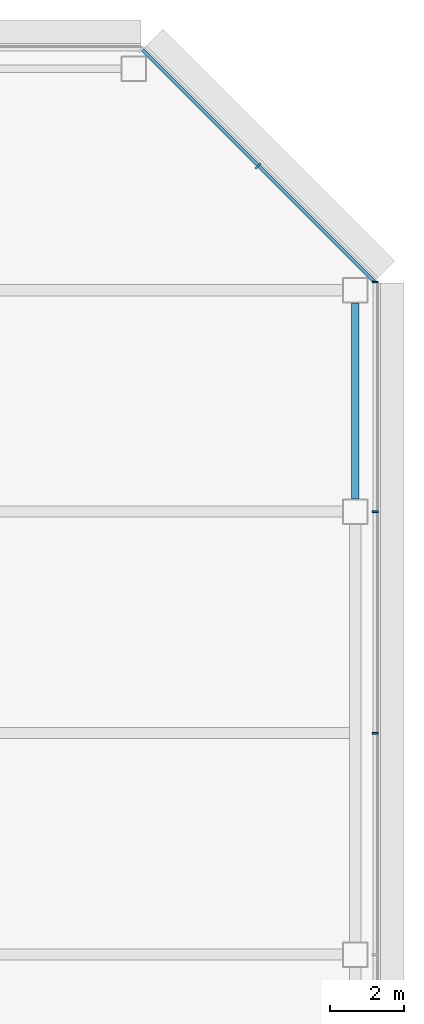
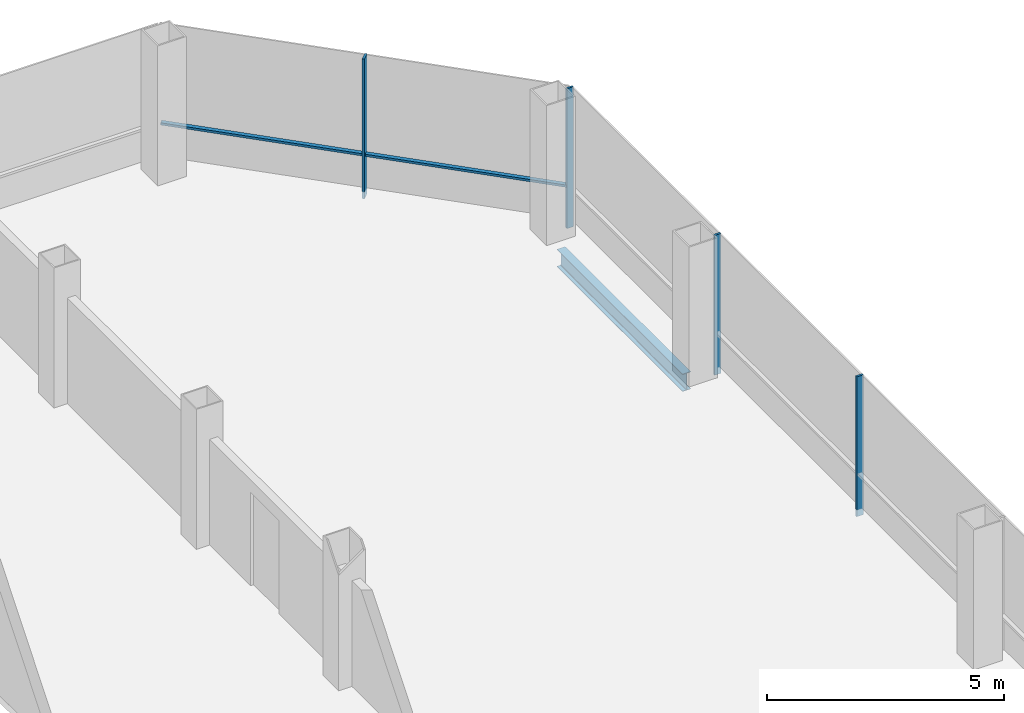
# One storey, part 17 of 24: 5 members, 1 beam, 2 elements without a shape of their own.
"""IFC4 building model written with IfcOpenShell, lengths in metres."""

from ifc_helpers import new_model, si_unit, direction, frame, origin, origin_2d, place, context, subcontext, project, spatial, rectangle, i_section, extrude, material, material_profile, profile_set, type_object, element, aggregate, save


model = new_model("IFC4")

# Units and contexts
model_context = context("Model", 3, precision=1e-05, world=origin(), true_north=direction((0.0, 1.0)))
body_context = subcontext(model_context, "Body", "Model", "MODEL_VIEW")
ifc_project = project(units=[si_unit("LENGTHUNIT", "METRE"), si_unit("AREAUNIT", "SQUARE_METRE"), si_unit("VOLUMEUNIT", "CUBIC_METRE"), si_unit("PLANEANGLEUNIT", "RADIAN"), si_unit("MASSUNIT", "GRAM", prefix="KILO")], contexts=[model_context])

# Site, building, storey
site_placement = place(None, origin())
site = spatial("IfcSite", under=ifc_project, at=site_placement, CompositionType="ELEMENT")
building_placement = place(site_placement, origin())
building = spatial("IfcBuilding", under=site, at=building_placement, Name="Sorahane Residences", CompositionType="ELEMENT")
storey_placement = place(building_placement, frame((0.0, 0.0, 174.39990234375)))
storey = spatial("IfcBuildingStorey", under=building, at=storey_placement, Name="L40", CompositionType="ELEMENT", Elevation=174.39990234375)

# Curtain wall, members
ifc_material_1 = material(Name="Dark low-e glass and black anodised aluminium", Category="aluminium")
curtain_wall_type_1 = type_object("IfcCurtainWallType", Name="Curtain wall CW-1 Typical unitised wall", PredefinedType="NOTDEFINED", material=ifc_material_1)
curtain_wall_1_placement = place(storey_placement, origin())
curtain_wall_1 = element("IfcCurtainWall", 1, at=curtain_wall_1_placement, inside=storey, type_object=curtain_wall_type_1, Name="CW-1 curtain wall L40 E1", PredefinedType="NOTDEFINED")
ifc_material_2 = material(Name="Black anodised aluminium", Category="aluminium")
ifc_material_profile_1 = material_profile(ifc_material_2, rectangle(XDim=0.159912109375, YDim=0.050048828125, at=origin_2d()), Name="Curtain wall mullion CW-1 black anodised aluminium 50x160")
ifc_profile_set_1 = profile_set([ifc_material_profile_1], Name="Black anodised aluminium")
member_type_1 = type_object("IfcMemberType", Name="Curtain wall mullion CW-1 black anodised aluminium 50x160", PredefinedType="MULLION", material=ifc_profile_set_1)
member_1_placement = place(storey_placement, frame((60.5400390625, 30.0, -0.179931640625), z_axis=(0.0, 0.0, 1.0), x_axis=(1.0, 0.0, 0.0)))
member_1 = element("IfcMember", 2, at=member_1_placement, type_object=member_type_1, Name="CW-1 mullion L40 E1.5", PredefinedType="MULLION", context=body_context, shape_type="SweptSolid", body=[
    extrude(rectangle(XDim=0.159912109375, YDim=0.050048828125, at=origin_2d()), origin(), (0.0, 0.0, 1.0), 3.60009765625),
])
member_2_placement = place(storey_placement, frame((60.5400390625, 36.0, -0.179931640625), z_axis=(0.0, 0.0, 1.0), x_axis=(1.0, 0.0, 0.0)))
member_2 = element("IfcMember", 3, at=member_2_placement, type_object=member_type_1, Name="CW-1 mullion L40 E1.6", PredefinedType="MULLION", context=body_context, shape_type="SweptSolid", body=[
    extrude(rectangle(XDim=0.159912109375, YDim=0.050048828125, at=origin_2d()), origin(), (0.0, 0.0, 1.0), 3.60009765625),
])
member_3_placement = place(storey_placement, frame((60.5400390625, 42.2236328125, -0.179931640625), z_axis=(0.0, 0.0, 1.0), x_axis=(1.0, 0.0, 0.0)))
member_3 = element("IfcMember", 4, at=member_3_placement, type_object=member_type_1, Name="CW-1 mullion L40 E1.7", PredefinedType="MULLION", context=body_context, shape_type="SweptSolid", body=[
    extrude(rectangle(XDim=0.159912109375, YDim=0.050048828125, at=origin_2d()), origin(), (0.0, 0.0, 1.0), 3.60009765625),
])
aggregate(curtain_wall_1, [member_1, member_2, member_3])

ifc_material_3 = material(Name="Dark low-e glass and black anodised aluminium", Category="aluminium")
curtain_wall_type_2 = type_object("IfcCurtainWallType", Name="Curtain wall CW-2 Chamfer unitised wall", PredefinedType="NOTDEFINED", material=ifc_material_3)
curtain_wall_2_placement = place(storey_placement, origin())
curtain_wall_2 = element("IfcCurtainWall", 5, at=curtain_wall_2_placement, inside=storey, type_object=curtain_wall_type_2, Name="CW-2 curtain wall L40 NE1", PredefinedType="NOTDEFINED")
ifc_material_4 = material(Name="Black anodised aluminium", Category="aluminium")
ifc_material_profile_2 = material_profile(ifc_material_4, rectangle(XDim=0.199951171875, YDim=0.050048828125, at=origin_2d()), Name="Curtain wall mullion CW-2 black anodised aluminium 50x200")
ifc_profile_set_2 = profile_set([ifc_material_profile_2], Name="Black anodised aluminium")
member_type_2 = type_object("IfcMemberType", Name="Curtain wall mullion CW-2 black anodised aluminium 50x200", PredefinedType="MULLION", material=ifc_profile_set_2)
member_4_placement = place(storey_placement, frame((57.36767578125, 45.36767578125, -0.179931640625), z_axis=(0.0, 0.0, 1.0), x_axis=(0.707106781187, 0.707106781187, 0.0)))
member_4 = element("IfcMember", 6, at=member_4_placement, type_object=member_type_2, Name="CW-2 mullion L40 NE1.2", PredefinedType="MULLION", context=body_context, shape_type="SweptSolid", body=[
    extrude(rectangle(XDim=0.199951171875, YDim=0.050048828125, at=origin_2d()), origin(), (0.0, 0.0, 1.0), 3.60009765625),
])
ifc_material_5 = material(Name="Black anodised aluminium", Category="aluminium")
ifc_material_profile_3 = material_profile(ifc_material_5, rectangle(XDim=0.10009765625, YDim=0.06005859375, at=origin_2d()), Name="Curtain wall transom CW-2 black anodised aluminium 60x100")
ifc_profile_set_3 = profile_set([ifc_material_profile_3], Name="Black anodised aluminium")
member_type_3 = type_object("IfcMemberType", Name="Curtain wall transom CW-2 black anodised aluminium 60x100", PredefinedType="USERDEFINED", material=ifc_profile_set_3)
member_5_placement = place(storey_placement, frame((60.51513671875, 42.234375, 0.900146484375), z_axis=(-0.707106781187, 0.707106781187, 0.0), x_axis=(-0.707106781187, -0.707106781187, 0.0)))
member_5 = element("IfcMember", 7, at=member_5_placement, type_object=member_type_3, Name="CW-2 transom L40 NE1", ObjectType="TRANSOM", PredefinedType="USERDEFINED", context=body_context, shape_type="SweptSolid", body=[
    extrude(rectangle(XDim=0.10009765625, YDim=0.06005859375, at=origin_2d()), origin(), (0.0, 0.0, 1.0), 8.88232421875),
])
aggregate(curtain_wall_2, [member_4, member_5])

# Beam
ifc_material_6 = material(Name="Steel Q355B", Category="steel")
ifc_material_profile_4 = material_profile(ifc_material_6, i_section(OverallWidth=0.199951171875, OverallDepth=0.449951171875, WebThickness=0.009033203125, FlangeThickness=0.013916015625, FilletRadius=0.02001953125, at=origin_2d()), Name="HN 450x200x9x14")
ifc_profile_set_4 = profile_set([ifc_material_profile_4], Name="Steel Q355B")
beam_type = type_object("IfcBeamType", Name="Steel floor beam HN 450x200x9x14 Q355B", PredefinedType="BEAM", material=ifc_profile_set_4)
beam_placement = place(storey_placement, frame((60.0, 36.35009765625, -0.40478515625), z_axis=(0.0, 1.0, 0.0), x_axis=(-1.0, 0.0, 0.0)))
element("IfcBeam", 8, at=beam_placement, inside=storey, type_object=beam_type, Name="Beam L40 067", PredefinedType="BEAM", context=body_context, shape_type="SweptSolid", body=[
    extrude(i_section(OverallWidth=0.199951171875, OverallDepth=0.449951171875, WebThickness=0.009033203125, FlangeThickness=0.013916015625, FilletRadius=0.02001953125, at=origin_2d()), origin(), (0.0, 0.0, 1.0), 5.2998046875),
])

save(model, "model.ifc")
